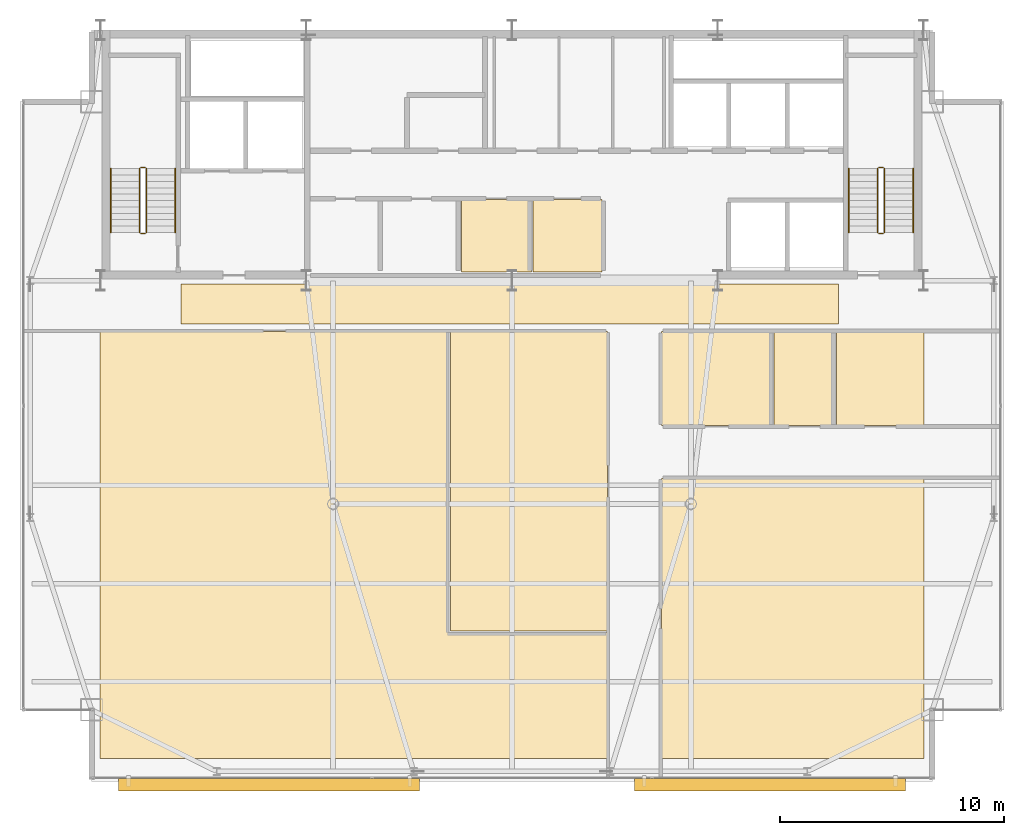
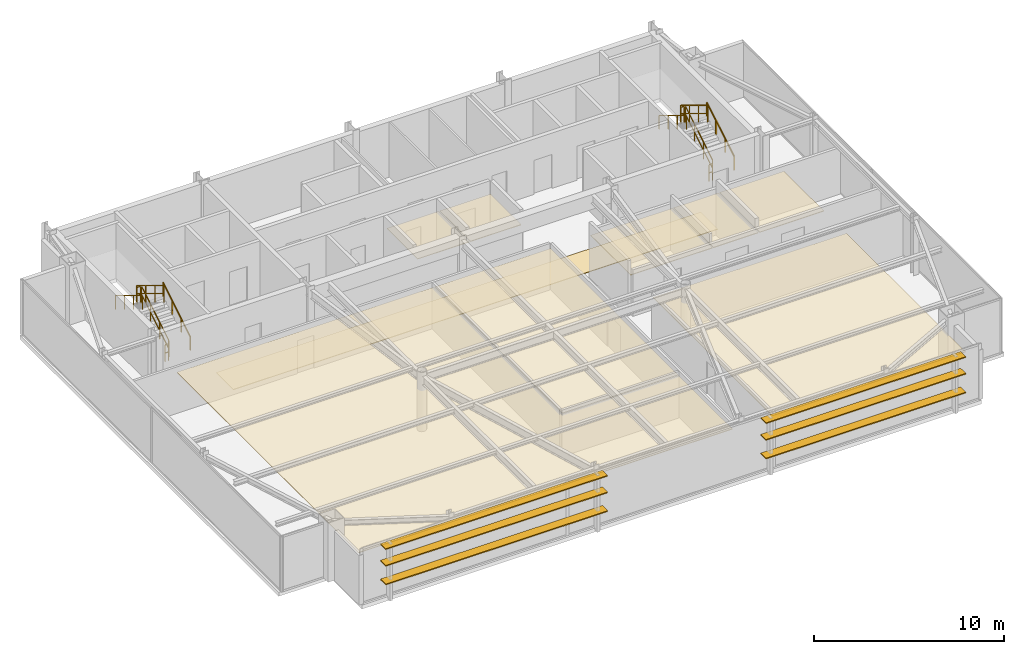
# One storey, part 24 of 24: 12 railings, 9 coverings, 6 shading devices.
"""IFC4 building model written with IfcOpenShell, lengths in metres."""

from ifc_helpers import new_model, si_unit, direction, frame, origin, origin_2d, place, context, subcontext, project, spatial, polyline, rectangle, outline, extrude, source, transform, mapped, material, layer, layer_set, type_object, type_shapes, element, save


model = new_model("IFC4")

# Units and contexts
model_context = context("Model", 3, precision=1e-05, world=origin(), true_north=direction((0.0, 1.0)))
body_context = subcontext(model_context, "Body", "Model", "MODEL_VIEW")
ifc_project = project(units=[si_unit("LENGTHUNIT", "METRE"), si_unit("AREAUNIT", "SQUARE_METRE"), si_unit("VOLUMEUNIT", "CUBIC_METRE"), si_unit("PLANEANGLEUNIT", "RADIAN"), si_unit("MASSUNIT", "GRAM", prefix="KILO")], contexts=[model_context])

# Site, building, storey
site_placement = place(None, origin())
site = spatial("IfcSite", under=ifc_project, at=site_placement, CompositionType="ELEMENT")
building_placement = place(site_placement, origin())
building = spatial("IfcBuilding", under=site, at=building_placement, Name="Varnel Quay Broadcast Tower", CompositionType="ELEMENT")
storey_placement = place(building_placement, frame((0.0, 0.0, 269.800048828125)))
storey = spatial("IfcBuildingStorey", under=building, at=storey_placement, Name="L67", CompositionType="ELEMENT", Elevation=269.800048828125)

# Coverings
ifc_material_1 = material(Name="Micro-Perforated Acoustic Ceiling Tile")
ifc_layer_1 = layer(ifc_material_1, 0.0400390625, Name="Micro-Perforated Acoustic Ceiling Tile")
ifc_layer_set_1 = layer_set([ifc_layer_1], Name="Micro-Perforated Acoustic Ceiling Tile")
covering_type_1 = type_object("IfcCoveringType", Name="Cov_AcousticCeiling", PredefinedType="CEILING", material=ifc_layer_set_1)
covering_1_placement = place(storey_placement, frame((0.0, 0.0, 2.579833984375)))
element("IfcCovering", 1, at=covering_1_placement, inside=storey, type_object=covering_type_1, Name="L67 Broadcast First-Aid & Quiet Room Acoustic Ceiling", PredefinedType="CEILING", context=body_context, shape_type="SweptSolid", body=[
    extrude(outline(polyline([(31.735107421875, 35.985107421875), (34.864990234375, 35.985107421875), (34.864990234375, 39.215087890625), (31.735107421875, 39.215087890625), (31.735107421875, 35.985107421875)])), origin(), (0.0, 0.0, 1.0), 0.0400390625),
])
covering_2_placement = place(storey_placement, frame((0.0, 0.0, 2.579833984375)))
element("IfcCovering", 2, at=covering_2_placement, inside=storey, type_object=covering_type_1, Name="L67 Zone Lighting Dimmer Room Acoustic Ceiling", PredefinedType="CEILING", context=body_context, shape_type="SweptSolid", body=[
    extrude(outline(polyline([(34.93505859375, 35.985107421875), (38.014892578125, 35.985107421875), (38.014892578125, 39.215087890625), (34.93505859375, 39.215087890625), (34.93505859375, 35.985107421875)])), origin(), (0.0, 0.0, 1.0), 0.0400390625),
])
covering_3_placement = place(storey_placement, frame((0.0, 0.0, 2.579833984375)))
element("IfcCovering", 3, at=covering_3_placement, inside=storey, type_object=covering_type_1, Name="L67 Talent Lounge 1 Acoustic Ceiling", PredefinedType="CEILING", context=body_context, shape_type="SweptSolid", body=[
    extrude(outline(polyline([(15.5849609375, 14.22509765625), (38.264892578125, 14.22509765625), (38.264892578125, 19.864990234375), (31.175048828125, 19.864990234375), (31.175048828125, 33.31494140625), (15.5849609375, 33.31494140625), (15.5849609375, 14.22509765625)])), origin(), (0.0, 0.0, 1.0), 0.0400390625),
])
covering_4_placement = place(storey_placement, frame((0.0, 0.0, 2.579833984375)))
element("IfcCovering", 4, at=covering_4_placement, inside=storey, type_object=covering_type_1, Name="L67 Foley Sound Studio 2 Acoustic Ceiling", PredefinedType="CEILING", context=body_context, shape_type="SweptSolid", body=[
    extrude(outline(polyline([(31.2451171875, 19.93505859375), (38.264892578125, 19.93505859375), (38.264892578125, 33.31494140625), (31.2451171875, 33.31494140625), (31.2451171875, 19.93505859375)])), origin(), (0.0, 0.0, 1.0), 0.0400390625),
])
covering_5_placement = place(storey_placement, frame((0.0, 0.0, 2.579833984375)))
element("IfcCovering", 5, at=covering_5_placement, inside=storey, type_object=covering_type_1, Name="L67 Pantry Niche 3 Acoustic Ceiling", PredefinedType="CEILING", context=body_context, shape_type="SweptSolid", body=[
    extrude(outline(polyline([(40.68505859375, 14.22509765625), (52.4150390625, 14.22509765625), (52.4150390625, 26.7451171875), (40.68505859375, 26.7451171875), (40.68505859375, 14.22509765625)])), origin(), (0.0, 0.0, 1.0), 0.0400390625),
])
covering_6_placement = place(storey_placement, frame((0.0, 0.0, 2.579833984375)))
element("IfcCovering", 6, at=covering_6_placement, inside=storey, type_object=covering_type_1, Name="L67 Broadcast Seminar Room 4 Acoustic Ceiling", PredefinedType="CEILING", context=body_context, shape_type="SweptSolid", body=[
    extrude(outline(polyline([(40.68505859375, 29.114990234375), (45.64501953125, 29.114990234375), (45.64501953125, 33.31494140625), (40.68505859375, 33.31494140625), (40.68505859375, 29.114990234375)])), origin(), (0.0, 0.0, 1.0), 0.0400390625),
])
covering_7_placement = place(storey_placement, frame((0.0, 0.0, 2.579833984375)))
element("IfcCovering", 7, at=covering_7_placement, inside=storey, type_object=covering_type_1, Name="L67 Podcast Recording Studio 5 Acoustic Ceiling", PredefinedType="CEILING", context=body_context, shape_type="SweptSolid", body=[
    extrude(outline(polyline([(45.715087890625, 29.114990234375), (48.445068359375, 29.114990234375), (48.445068359375, 33.31494140625), (45.715087890625, 33.31494140625), (45.715087890625, 29.114990234375)])), origin(), (0.0, 0.0, 1.0), 0.0400390625),
])
covering_8_placement = place(storey_placement, frame((0.0, 0.0, 2.579833984375)))
element("IfcCovering", 8, at=covering_8_placement, inside=storey, type_object=covering_type_1, Name="L67 Foley Sound Studio 6 Acoustic Ceiling", PredefinedType="CEILING", context=body_context, shape_type="SweptSolid", body=[
    extrude(outline(polyline([(48.514892578125, 29.114990234375), (52.4150390625, 29.114990234375), (52.4150390625, 33.31494140625), (48.514892578125, 33.31494140625), (48.514892578125, 29.114990234375)])), origin(), (0.0, 0.0, 1.0), 0.0400390625),
])
ifc_material_2 = material(Name="Polished Terrazzo & Broadcast Raised Flooring")
ifc_layer_2 = layer(ifc_material_2, 0.0400390625, Name="Polished Terrazzo & Broadcast Raised Flooring")
ifc_layer_set_2 = layer_set([ifc_layer_2], Name="Polished Terrazzo & Broadcast Raised Flooring")
covering_type_2 = type_object("IfcCoveringType", Name="Cov_TerrazzoFloor", PredefinedType="FLOORING", material=ifc_layer_set_2)
covering_9_placement = place(storey_placement, origin())
element("IfcCovering", 9, at=covering_9_placement, inside=storey, type_object=covering_type_2, Name="L67 Corridor Terrazzo Flooring", PredefinedType="FLOORING", context=body_context, shape_type="SweptSolid", body=[
    extrude(outline(polyline([(19.199951171875, 33.64990234375), (48.60009765625, 33.64990234375), (48.60009765625, 35.449951171875), (19.199951171875, 35.449951171875), (19.199951171875, 33.64990234375)])), origin(), (0.0, 0.0, 1.0), 0.0400390625),
])

# Railings
ifc_material_3 = material(Name="Painted Steel Guard and Handrail CSA G40.21 350W", Category="steel")
railing_type_1 = type_object("IfcRailingType", Name="Rail_StairGuard1100", PredefinedType="GUARDRAIL", material=ifc_material_3)
railing_1_placement = place(storey_placement, frame((17.64990234375, 37.75, 0.172607421875)))
element("IfcRailing", 10, at=railing_1_placement, inside=storey, type_object=railing_type_1, Name="L67 ST-01 stair guard 1", PredefinedType="GUARDRAIL", context=body_context, shape_type="SweptSolid", body=[
    extrude(rectangle(XDim=0.048095703125, YDim=0.048095703125, at=origin_2d()), frame((0.0, 0.0, 1.076171875), z_axis=(0.0, 0.855202751398, 0.518293598264), x_axis=(-1.0, 0.0, 0.0)), (0.0, 0.0, 1.0), 3.332763671875),
    extrude(rectangle(XDim=0.048095703125, YDim=0.048095703125, at=origin_2d()), frame((0.0, 0.0, 0.550048828125), z_axis=(0.0, 0.855202751398, 0.518293598264), x_axis=(-1.0, 0.0, 0.0)), (0.0, 0.0, 1.0), 3.332763671875),
    extrude(rectangle(XDim=0.0419921875, YDim=0.0419921875, at=origin_2d()), origin(), (0.0, 0.0, 1.0), 1.052001953125),
    extrude(rectangle(XDim=0.0419921875, YDim=0.0419921875, at=origin_2d()), frame((0.0, 0.949951171875, 0.57568359375)), (0.0, 0.0, 1.0), 1.052001953125),
    extrude(rectangle(XDim=0.0419921875, YDim=0.0419921875, at=origin_2d()), frame((0.0, 1.900146484375, 1.151611328125)), (0.0, 0.0, 1.0), 1.052001953125),
    extrude(rectangle(XDim=0.0419921875, YDim=0.0419921875, at=origin_2d()), frame((0.0, 2.85009765625, 1.727294921875)), (0.0, 0.0, 1.0), 1.052001953125),
])
railing_2_placement = place(storey_placement, frame((17.60009765625, 40.64990234375, 1.89990234375)))
element("IfcRailing", 11, at=railing_2_placement, inside=storey, type_object=railing_type_1, Name="L67 ST-01 stair guard 2", PredefinedType="GUARDRAIL", context=body_context, shape_type="SweptSolid", body=[
    extrude(rectangle(XDim=0.048095703125, YDim=0.048095703125, at=origin_2d()), frame((0.0, 0.0, 1.076171875), z_axis=(-1.0, 0.0, 0.0), x_axis=(0.0, -1.0, 0.0)), (0.0, 0.0, 1.0), 0.2001953125),
    extrude(rectangle(XDim=0.048095703125, YDim=0.048095703125, at=origin_2d()), frame((0.0, 0.0, 0.550048828125), z_axis=(-1.0, 0.0, 0.0), x_axis=(0.0, -1.0, 0.0)), (0.0, 0.0, 1.0), 0.2001953125),
    extrude(rectangle(XDim=0.0419921875, YDim=0.0419921875, at=origin_2d()), origin(), (0.0, 0.0, 1.0), 1.052001953125),
    extrude(rectangle(XDim=0.0419921875, YDim=0.0419921875, at=origin_2d()), frame((-0.2001953125, 0.0, 0.0)), (0.0, 0.0, 1.0), 1.052001953125),
])
railing_3_placement = place(storey_placement, frame((17.35009765625, 40.60009765625, 2.07275390625)))
element("IfcRailing", 12, at=railing_3_placement, inside=storey, type_object=railing_type_1, Name="L67 ST-01 stair guard 3", PredefinedType="GUARDRAIL", context=body_context, shape_type="SweptSolid", body=[
    extrude(rectangle(XDim=0.048095703125, YDim=0.048095703125, at=origin_2d()), frame((0.0, 0.0, 1.076171875), z_axis=(0.0, -0.855202751398, 0.518293598264), x_axis=(1.0, 0.0, 0.0)), (0.0, 0.0, 1.0), 3.332763671875),
    extrude(rectangle(XDim=0.048095703125, YDim=0.048095703125, at=origin_2d()), frame((0.0, 0.0, 0.550048828125), z_axis=(0.0, -0.855202751398, 0.518293598264), x_axis=(1.0, 0.0, 0.0)), (0.0, 0.0, 1.0), 3.332763671875),
    extrude(rectangle(XDim=0.0419921875, YDim=0.0419921875, at=origin_2d()), origin(), (0.0, 0.0, 1.0), 1.052001953125),
    extrude(rectangle(XDim=0.0419921875, YDim=0.0419921875, at=origin_2d()), frame((0.0, -0.949951171875, 0.57568359375)), (0.0, 0.0, 1.0), 1.052001953125),
    extrude(rectangle(XDim=0.0419921875, YDim=0.0419921875, at=origin_2d()), frame((0.0, -1.900146484375, 1.151611328125)), (0.0, 0.0, 1.0), 1.052001953125),
    extrude(rectangle(XDim=0.0419921875, YDim=0.0419921875, at=origin_2d()), frame((0.0, -2.85009765625, 1.727294921875)), (0.0, 0.0, 1.0), 1.052001953125),
])
railing_4_placement = place(storey_placement, frame((17.60009765625, 37.699951171875, 0.0)))
element("IfcRailing", 13, at=railing_4_placement, inside=storey, type_object=railing_type_1, Name="L67 ST-01 stair guard 4", PredefinedType="GUARDRAIL", context=body_context, shape_type="SweptSolid", body=[
    extrude(rectangle(XDim=0.048095703125, YDim=0.048095703125, at=origin_2d()), frame((0.0, 0.0, 1.076171875), z_axis=(-1.0, 0.0, 0.0), x_axis=(0.0, -1.0, 0.0)), (0.0, 0.0, 1.0), 0.2001953125),
    extrude(rectangle(XDim=0.048095703125, YDim=0.048095703125, at=origin_2d()), frame((0.0, 0.0, 0.550048828125), z_axis=(-1.0, 0.0, 0.0), x_axis=(0.0, -1.0, 0.0)), (0.0, 0.0, 1.0), 0.2001953125),
    extrude(rectangle(XDim=0.0419921875, YDim=0.0419921875, at=origin_2d()), origin(), (0.0, 0.0, 1.0), 1.052001953125),
    extrude(rectangle(XDim=0.0419921875, YDim=0.0419921875, at=origin_2d()), frame((-0.2001953125, 0.0, 0.0)), (0.0, 0.0, 1.0), 1.052001953125),
])
railing_5_placement = place(storey_placement, frame((50.64990234375, 37.75, 0.172607421875)))
element("IfcRailing", 14, at=railing_5_placement, inside=storey, type_object=railing_type_1, Name="L67 ST-02 stair guard 1", PredefinedType="GUARDRAIL", context=body_context, shape_type="SweptSolid", body=[
    extrude(rectangle(XDim=0.048095703125, YDim=0.048095703125, at=origin_2d()), frame((0.0, 0.0, 1.076171875), z_axis=(0.0, 0.855202751398, 0.518293598264), x_axis=(-1.0, 0.0, 0.0)), (0.0, 0.0, 1.0), 3.332763671875),
    extrude(rectangle(XDim=0.048095703125, YDim=0.048095703125, at=origin_2d()), frame((0.0, 0.0, 0.550048828125), z_axis=(0.0, 0.855202751398, 0.518293598264), x_axis=(-1.0, 0.0, 0.0)), (0.0, 0.0, 1.0), 3.332763671875),
    extrude(rectangle(XDim=0.0419921875, YDim=0.0419921875, at=origin_2d()), origin(), (0.0, 0.0, 1.0), 1.052001953125),
    extrude(rectangle(XDim=0.0419921875, YDim=0.0419921875, at=origin_2d()), frame((0.0, 0.949951171875, 0.57568359375)), (0.0, 0.0, 1.0), 1.052001953125),
    extrude(rectangle(XDim=0.0419921875, YDim=0.0419921875, at=origin_2d()), frame((0.0, 1.900146484375, 1.151611328125)), (0.0, 0.0, 1.0), 1.052001953125),
    extrude(rectangle(XDim=0.0419921875, YDim=0.0419921875, at=origin_2d()), frame((0.0, 2.85009765625, 1.727294921875)), (0.0, 0.0, 1.0), 1.052001953125),
])
railing_6_placement = place(storey_placement, frame((50.60009765625, 40.64990234375, 1.89990234375)))
element("IfcRailing", 15, at=railing_6_placement, inside=storey, type_object=railing_type_1, Name="L67 ST-02 stair guard 2", PredefinedType="GUARDRAIL", context=body_context, shape_type="SweptSolid", body=[
    extrude(rectangle(XDim=0.048095703125, YDim=0.048095703125, at=origin_2d()), frame((0.0, 0.0, 1.076171875), z_axis=(-1.0, 0.0, 0.0), x_axis=(0.0, -1.0, 0.0)), (0.0, 0.0, 1.0), 0.2001953125),
    extrude(rectangle(XDim=0.048095703125, YDim=0.048095703125, at=origin_2d()), frame((0.0, 0.0, 0.550048828125), z_axis=(-1.0, 0.0, 0.0), x_axis=(0.0, -1.0, 0.0)), (0.0, 0.0, 1.0), 0.2001953125),
    extrude(rectangle(XDim=0.0419921875, YDim=0.0419921875, at=origin_2d()), origin(), (0.0, 0.0, 1.0), 1.052001953125),
    extrude(rectangle(XDim=0.0419921875, YDim=0.0419921875, at=origin_2d()), frame((-0.2001953125, 0.0, 0.0)), (0.0, 0.0, 1.0), 1.052001953125),
])
railing_7_placement = place(storey_placement, frame((50.35009765625, 40.60009765625, 2.07275390625)))
element("IfcRailing", 16, at=railing_7_placement, inside=storey, type_object=railing_type_1, Name="L67 ST-02 stair guard 3", PredefinedType="GUARDRAIL", context=body_context, shape_type="SweptSolid", body=[
    extrude(rectangle(XDim=0.048095703125, YDim=0.048095703125, at=origin_2d()), frame((0.0, 0.0, 1.076171875), z_axis=(0.0, -0.855202751398, 0.518293598264), x_axis=(1.0, 0.0, 0.0)), (0.0, 0.0, 1.0), 3.332763671875),
    extrude(rectangle(XDim=0.048095703125, YDim=0.048095703125, at=origin_2d()), frame((0.0, 0.0, 0.550048828125), z_axis=(0.0, -0.855202751398, 0.518293598264), x_axis=(1.0, 0.0, 0.0)), (0.0, 0.0, 1.0), 3.332763671875),
    extrude(rectangle(XDim=0.0419921875, YDim=0.0419921875, at=origin_2d()), origin(), (0.0, 0.0, 1.0), 1.052001953125),
    extrude(rectangle(XDim=0.0419921875, YDim=0.0419921875, at=origin_2d()), frame((0.0, -0.949951171875, 0.57568359375)), (0.0, 0.0, 1.0), 1.052001953125),
    extrude(rectangle(XDim=0.0419921875, YDim=0.0419921875, at=origin_2d()), frame((0.0, -1.900146484375, 1.151611328125)), (0.0, 0.0, 1.0), 1.052001953125),
    extrude(rectangle(XDim=0.0419921875, YDim=0.0419921875, at=origin_2d()), frame((0.0, -2.85009765625, 1.727294921875)), (0.0, 0.0, 1.0), 1.052001953125),
])
railing_8_placement = place(storey_placement, frame((50.60009765625, 37.699951171875, 0.0)))
element("IfcRailing", 17, at=railing_8_placement, inside=storey, type_object=railing_type_1, Name="L67 ST-02 stair guard 4", PredefinedType="GUARDRAIL", context=body_context, shape_type="SweptSolid", body=[
    extrude(rectangle(XDim=0.048095703125, YDim=0.048095703125, at=origin_2d()), frame((0.0, 0.0, 1.076171875), z_axis=(-1.0, 0.0, 0.0), x_axis=(0.0, -1.0, 0.0)), (0.0, 0.0, 1.0), 0.2001953125),
    extrude(rectangle(XDim=0.048095703125, YDim=0.048095703125, at=origin_2d()), frame((0.0, 0.0, 0.550048828125), z_axis=(-1.0, 0.0, 0.0), x_axis=(0.0, -1.0, 0.0)), (0.0, 0.0, 1.0), 0.2001953125),
    extrude(rectangle(XDim=0.0419921875, YDim=0.0419921875, at=origin_2d()), origin(), (0.0, 0.0, 1.0), 1.052001953125),
    extrude(rectangle(XDim=0.0419921875, YDim=0.0419921875, at=origin_2d()), frame((-0.2001953125, 0.0, 0.0)), (0.0, 0.0, 1.0), 1.052001953125),
])
railing_type_2 = type_object("IfcRailingType", Name="Rail_StairHandrail900", PredefinedType="HANDRAIL", material=ifc_material_3)
railing_9_placement = place(storey_placement, frame((18.949951171875, 37.75, 0.172607421875)))
element("IfcRailing", 18, at=railing_9_placement, inside=storey, type_object=railing_type_2, Name="L67 ST-01 stair handrail 1", PredefinedType="HANDRAIL", context=body_context, shape_type="SweptSolid", body=[
    extrude(rectangle(XDim=0.048095703125, YDim=0.048095703125, at=origin_2d()), frame((0.0, 0.0, 0.8759765625), z_axis=(0.0, 0.855202751398, 0.518293598264), x_axis=(-1.0, 0.0, 0.0)), (0.0, 0.0, 1.0), 3.332763671875),
    extrude(rectangle(XDim=0.0419921875, YDim=0.0419921875, at=origin_2d()), origin(), (0.0, 0.0, 1.0), 0.851806640625),
    extrude(rectangle(XDim=0.0419921875, YDim=0.0419921875, at=origin_2d()), frame((0.0, 0.949951171875, 0.57568359375)), (0.0, 0.0, 1.0), 0.851806640625),
    extrude(rectangle(XDim=0.0419921875, YDim=0.0419921875, at=origin_2d()), frame((0.0, 1.900146484375, 1.151611328125)), (0.0, 0.0, 1.0), 0.851806640625),
    extrude(rectangle(XDim=0.0419921875, YDim=0.0419921875, at=origin_2d()), frame((0.0, 2.85009765625, 1.727294921875)), (0.0, 0.0, 1.0), 0.851806640625),
])
railing_10_placement = place(storey_placement, frame((16.050048828125, 40.60009765625, 2.07275390625)))
element("IfcRailing", 19, at=railing_10_placement, inside=storey, type_object=railing_type_2, Name="L67 ST-01 stair handrail 2", PredefinedType="HANDRAIL", context=body_context, shape_type="SweptSolid", body=[
    extrude(rectangle(XDim=0.048095703125, YDim=0.048095703125, at=origin_2d()), frame((0.0, 0.0, 0.8759765625), z_axis=(0.0, -0.855202751398, 0.518293598264), x_axis=(1.0, 0.0, 0.0)), (0.0, 0.0, 1.0), 3.332763671875),
    extrude(rectangle(XDim=0.0419921875, YDim=0.0419921875, at=origin_2d()), origin(), (0.0, 0.0, 1.0), 0.851806640625),
    extrude(rectangle(XDim=0.0419921875, YDim=0.0419921875, at=origin_2d()), frame((0.0, -0.949951171875, 0.57568359375)), (0.0, 0.0, 1.0), 0.851806640625),
    extrude(rectangle(XDim=0.0419921875, YDim=0.0419921875, at=origin_2d()), frame((0.0, -1.900146484375, 1.151611328125)), (0.0, 0.0, 1.0), 0.851806640625),
    extrude(rectangle(XDim=0.0419921875, YDim=0.0419921875, at=origin_2d()), frame((0.0, -2.85009765625, 1.727294921875)), (0.0, 0.0, 1.0), 0.851806640625),
])
railing_11_placement = place(storey_placement, frame((51.949951171875, 37.75, 0.172607421875)))
element("IfcRailing", 20, at=railing_11_placement, inside=storey, type_object=railing_type_2, Name="L67 ST-02 stair handrail 1", PredefinedType="HANDRAIL", context=body_context, shape_type="SweptSolid", body=[
    extrude(rectangle(XDim=0.048095703125, YDim=0.048095703125, at=origin_2d()), frame((0.0, 0.0, 0.8759765625), z_axis=(0.0, 0.855202751398, 0.518293598264), x_axis=(-1.0, 0.0, 0.0)), (0.0, 0.0, 1.0), 3.332763671875),
    extrude(rectangle(XDim=0.0419921875, YDim=0.0419921875, at=origin_2d()), origin(), (0.0, 0.0, 1.0), 0.851806640625),
    extrude(rectangle(XDim=0.0419921875, YDim=0.0419921875, at=origin_2d()), frame((0.0, 0.949951171875, 0.57568359375)), (0.0, 0.0, 1.0), 0.851806640625),
    extrude(rectangle(XDim=0.0419921875, YDim=0.0419921875, at=origin_2d()), frame((0.0, 1.900146484375, 1.151611328125)), (0.0, 0.0, 1.0), 0.851806640625),
    extrude(rectangle(XDim=0.0419921875, YDim=0.0419921875, at=origin_2d()), frame((0.0, 2.85009765625, 1.727294921875)), (0.0, 0.0, 1.0), 0.851806640625),
])
railing_12_placement = place(storey_placement, frame((49.050048828125, 40.60009765625, 2.07275390625)))
element("IfcRailing", 21, at=railing_12_placement, inside=storey, type_object=railing_type_2, Name="L67 ST-02 stair handrail 2", PredefinedType="HANDRAIL", context=body_context, shape_type="SweptSolid", body=[
    extrude(rectangle(XDim=0.048095703125, YDim=0.048095703125, at=origin_2d()), frame((0.0, 0.0, 0.8759765625), z_axis=(0.0, -0.855202751398, 0.518293598264), x_axis=(1.0, 0.0, 0.0)), (0.0, 0.0, 1.0), 3.332763671875),
    extrude(rectangle(XDim=0.0419921875, YDim=0.0419921875, at=origin_2d()), origin(), (0.0, 0.0, 1.0), 0.851806640625),
    extrude(rectangle(XDim=0.0419921875, YDim=0.0419921875, at=origin_2d()), frame((0.0, -0.949951171875, 0.57568359375)), (0.0, 0.0, 1.0), 0.851806640625),
    extrude(rectangle(XDim=0.0419921875, YDim=0.0419921875, at=origin_2d()), frame((0.0, -1.900146484375, 1.151611328125)), (0.0, 0.0, 1.0), 0.851806640625),
    extrude(rectangle(XDim=0.0419921875, YDim=0.0419921875, at=origin_2d()), frame((0.0, -2.85009765625, 1.727294921875)), (0.0, 0.0, 1.0), 0.851806640625),
])

# Shading devices
ifc_material_4 = material(Name="Bronze-Terracotta Extruded Ceramic Blade", Category="masonry")
ifc_layer_3 = layer(ifc_material_4, 0.06494140625, Name="Bronze-Terracotta Extruded Ceramic Blade")
ifc_layer_set_3 = layer_set([ifc_layer_3], Name="Bronze-Terracotta Extruded Ceramic Blade")
shading_device_type = type_object("IfcShadingDeviceType", Name="Shade_LouvreBlade550", PredefinedType="JALOUSIE", material=ifc_layer_set_3)
shared_shape_1 = source(origin(), body_context, "Body", "SweptSolid", [
    extrude(rectangle(XDim=13.468994140625, YDim=0.550048828125, at=origin_2d()), origin(), (0.0, 0.0, 1.0), 0.06494140625),
])
for number, where, z_axis, x_axis, name in (
    (22, (23.134033203125, 13.06005859375, 1.117431640625), (0.0, 0.0, 1.0), (1.0, 0.0, 0.0), "L67 Lobe 1 Horizontal Louvre Blade 1"),
    (23, (23.134033203125, 13.06005859375, 2.3173828125), (0.0, 0.0, 1.0), (1.0, 0.0, 0.0), "L67 Lobe 1 Horizontal Louvre Blade 2"),
    (24, (23.134033203125, 13.06005859375, 3.387451171875), (0.0, 0.0, 1.0), (1.0, 0.0, 0.0), "L67 Lobe 1 Horizontal Louvre Blade 3"),
):
    element("IfcShadingDevice", number, at=place(storey_placement, frame(where, z_axis=z_axis, x_axis=x_axis)), inside=storey, type_object=shading_device_type, Name=name, PredefinedType="JALOUSIE", context=body_context, shape_type="MappedRepresentation", body=[
        mapped(shared_shape_1, transform((0.0, 0.0, 0.0), x_axis=(1.0, 0.0, 0.0), y_axis=(0.0, 1.0, 0.0), z_axis=(0.0, 0.0, 1.0), scale=1.0)),
    ])
shared_shape_2 = source(origin(), body_context, "Body", "SweptSolid", [
    extrude(rectangle(XDim=12.131103515625, YDim=0.550048828125, at=origin_2d()), origin(), (0.0, 0.0, 1.0), 0.06494140625),
])
type_shapes(shading_device_type, [shared_shape_1, shared_shape_2])
for number, where, z_axis, x_axis, name in (
    (25, (45.534912109375, 13.06005859375, 1.117431640625), (0.0, 0.0, 1.0), (1.0, 0.0, 0.0), "L67 Lobe 2 Horizontal Louvre Blade 1"),
    (26, (45.534912109375, 13.06005859375, 2.3173828125), (0.0, 0.0, 1.0), (1.0, 0.0, 0.0), "L67 Lobe 2 Horizontal Louvre Blade 2"),
    (27, (45.534912109375, 13.06005859375, 3.387451171875), (0.0, 0.0, 1.0), (1.0, 0.0, 0.0), "L67 Lobe 2 Horizontal Louvre Blade 3"),
):
    element("IfcShadingDevice", number, at=place(storey_placement, frame(where, z_axis=z_axis, x_axis=x_axis)), inside=storey, type_object=shading_device_type, Name=name, PredefinedType="JALOUSIE", context=body_context, shape_type="MappedRepresentation", body=[
        mapped(shared_shape_2, transform((0.0, 0.0, 0.0), x_axis=(1.0, 0.0, 0.0), y_axis=(0.0, 1.0, 0.0), z_axis=(0.0, 0.0, 1.0), scale=1.0)),
    ])

save(model, "model.ifc")
